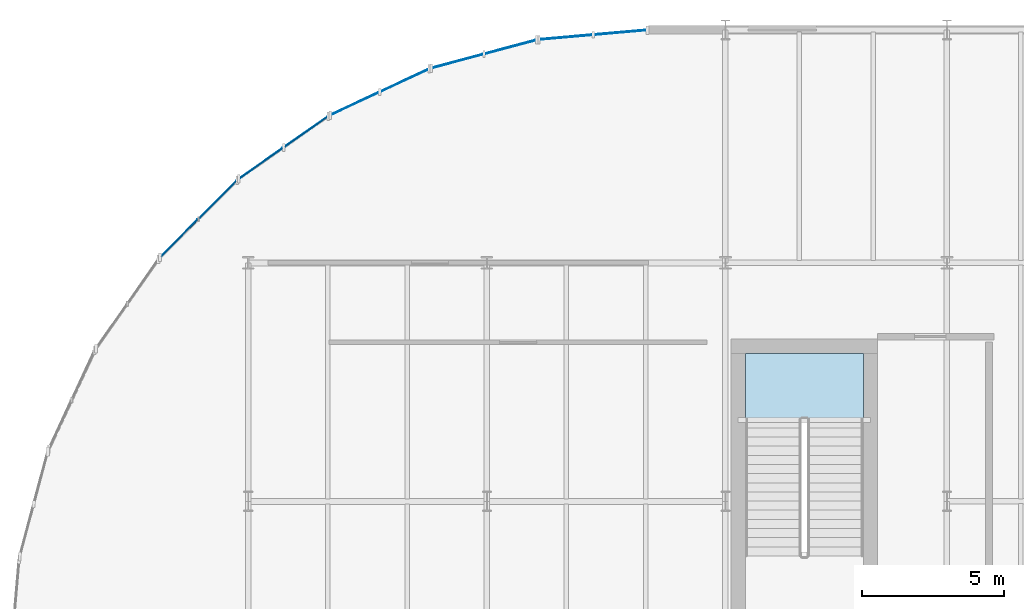
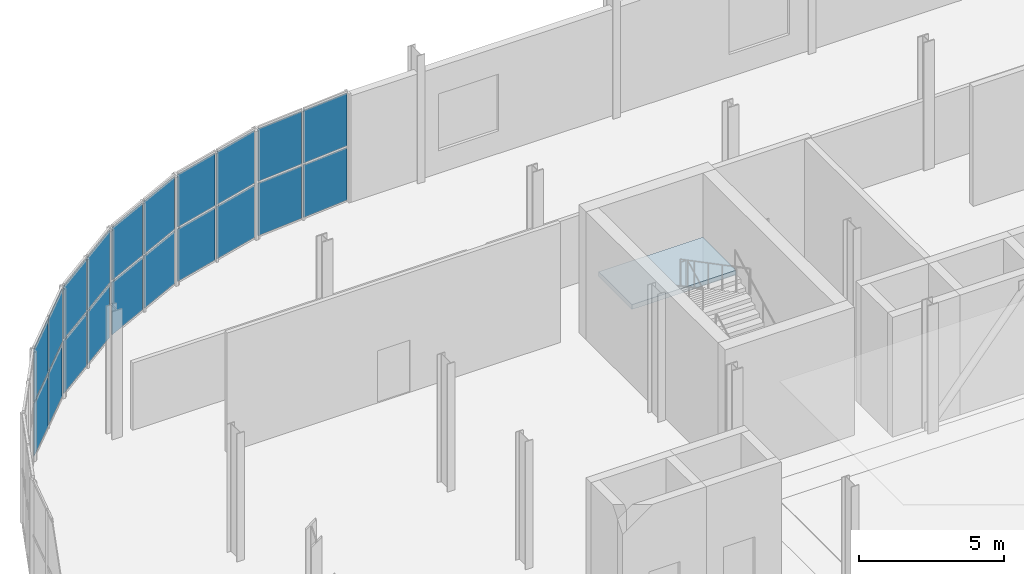
# One storey, part 41 of 78: 20 plates, 1 slab, 6 elements without a shape of their own.
"""IFC4 building model written with IfcOpenShell, lengths in metres."""

from ifc_helpers import new_model, si_unit, direction, frame, origin, origin_2d, place, context, subcontext, project, spatial, polyline, rectangle, outline, extrude, material, layer, layer_set, type_object, element, aggregate, save


model = new_model("IFC4")

# Units and contexts
model_context = context("Model", 3, precision=1e-05, world=origin(), true_north=direction((0.0, 1.0)))
body_context = subcontext(model_context, "Body", "Model", "MODEL_VIEW")
ifc_project = project(units=[si_unit("LENGTHUNIT", "METRE"), si_unit("AREAUNIT", "SQUARE_METRE"), si_unit("VOLUMEUNIT", "CUBIC_METRE"), si_unit("PLANEANGLEUNIT", "RADIAN"), si_unit("MASSUNIT", "GRAM", prefix="KILO")], contexts=[model_context])

# Site, building, storey
site_placement = place(None, origin())
site = spatial("IfcSite", under=ifc_project, at=site_placement, CompositionType="ELEMENT")
building_placement = place(site_placement, origin())
building = spatial("IfcBuilding", under=site, at=building_placement, Name="Sefraquen Railside Congress Hotel", CompositionType="ELEMENT")
storey_placement = place(building_placement, frame((0.0, 0.0, 6.0)))
storey = spatial("IfcBuildingStorey", under=building, at=storey_placement, Name="L01", CompositionType="ELEMENT", Elevation=6.0)

# Curtain wall, plates
ifc_material_1 = material(Name="Thermally broken anodised aluminium and low-E double glazing", Category="aluminium")
ifc_layer_1 = layer(ifc_material_1, 0.199951171875)
ifc_layer_set_1 = layer_set([ifc_layer_1], Name="Thermally broken anodised aluminium and low-E double glazing")
curtain_wall_type_1 = type_object("IfcCurtainWallType", Name="TCW-UCW-10", PredefinedType="USERDEFINED", material=ifc_layer_set_1)
curtain_wall_1_placement = place(storey_placement, origin())
curtain_wall_1 = element("IfcCurtainWall", 1, at=curtain_wall_1_placement, inside=storey, type_object=curtain_wall_type_1, Name="Rotunda L01 curved curtain wall facet 1", ObjectType="UNITISED CURTAIN WALL", PredefinedType="USERDEFINED")
ifc_material_2 = material(Name="Solar-control low-E double glazing", Category="glass")
ifc_layer_2 = layer(ifc_material_2, 0.02392578125)
ifc_layer_set_2 = layer_set([ifc_layer_2], Name="Solar-control low-E double glazing")
plate_type_1 = type_object("IfcPlateType", Name="TP-CWP-01", PredefinedType="CURTAIN_PANEL", material=ifc_layer_set_2)
plate_1_placement = place(storey_placement, frame((21.50341796875, 117.912841796875, 0.0400390625), z_axis=(0.0, 0.0, 1.0), x_axis=(-0.996196219095, -0.087138355857, 0.0)))
plate_1 = element("IfcPlate", 2, at=plate_1_placement, type_object=plate_type_1, Name="CW-L01-ROT-01 panel 1.1", PredefinedType="CURTAIN_PANEL", context=body_context, shape_type="SweptSolid", body=[
    extrude(rectangle(XDim=1.8310546875, YDim=0.02392578125, at=origin_2d()), origin(), (0.0, 0.0, 1.0), 2.219970703125),
])
plate_2_placement = place(storey_placement, frame((19.589599609375, 117.745361328125, 0.0400390625), z_axis=(0.0, 0.0, 1.0), x_axis=(-0.996196219095, -0.087138355857, 0.0)))
plate_2 = element("IfcPlate", 3, at=plate_2_placement, type_object=plate_type_1, Name="CW-L01-ROT-01 panel 1.2", PredefinedType="CURTAIN_PANEL", context=body_context, shape_type="SweptSolid", body=[
    extrude(rectangle(XDim=1.8310546875, YDim=0.02392578125, at=origin_2d()), origin(), (0.0, 0.0, 1.0), 2.219970703125),
])

ifc_layer_3 = layer(ifc_material_1, 0.199951171875)
ifc_layer_set_3 = layer_set([ifc_layer_3], Name="Thermally broken anodised aluminium and low-E double glazing")
curtain_wall_type_2 = type_object("IfcCurtainWallType", Name="TCW-UCW-11", PredefinedType="USERDEFINED", material=ifc_layer_set_3)
curtain_wall_2_placement = place(storey_placement, origin())
curtain_wall_2 = element("IfcCurtainWall", 4, at=curtain_wall_2_placement, inside=storey, type_object=curtain_wall_type_2, Name="Rotunda L01 curved curtain wall facet 2", ObjectType="UNITISED CURTAIN WALL", PredefinedType="USERDEFINED")
plate_3_placement = place(storey_placement, frame((17.62646484375, 117.399169921875, 0.0400390625), z_axis=(0.0, 0.0, 1.0), x_axis=(-0.96593486019, -0.258785327773, 0.0)))
plate_3 = element("IfcPlate", 5, at=plate_3_placement, type_object=plate_type_1, Name="CW-L01-ROT-02 panel 1.1", PredefinedType="CURTAIN_PANEL", context=body_context, shape_type="SweptSolid", body=[
    extrude(rectangle(XDim=1.8310546875, YDim=0.02392578125, at=origin_2d()), origin(), (0.0, 0.0, 1.0), 2.219970703125),
])
plate_4_placement = place(storey_placement, frame((15.77099609375, 116.902099609375, 0.0400390625), z_axis=(0.0, 0.0, 1.0), x_axis=(-0.96593486019, -0.258785327773, 0.0)))
plate_4 = element("IfcPlate", 6, at=plate_4_placement, type_object=plate_type_1, Name="CW-L01-ROT-02 panel 1.2", PredefinedType="CURTAIN_PANEL", context=body_context, shape_type="SweptSolid", body=[
    extrude(rectangle(XDim=1.8310546875, YDim=0.02392578125, at=origin_2d()), origin(), (0.0, 0.0, 1.0), 2.219970703125),
])

ifc_layer_4 = layer(ifc_material_1, 0.199951171875)
ifc_layer_set_4 = layer_set([ifc_layer_4], Name="Thermally broken anodised aluminium and low-E double glazing")
curtain_wall_type_3 = type_object("IfcCurtainWallType", Name="TCW-UCW-12", PredefinedType="USERDEFINED", material=ifc_layer_set_4)
curtain_wall_3_placement = place(storey_placement, origin())
curtain_wall_3 = element("IfcCurtainWall", 7, at=curtain_wall_3_placement, inside=storey, type_object=curtain_wall_type_3, Name="Rotunda L01 curved curtain wall facet 3", ObjectType="UNITISED CURTAIN WALL", PredefinedType="USERDEFINED")
plate_5_placement = place(storey_placement, frame((13.897705078125, 116.22021484375, 0.0400390625), z_axis=(0.0, 0.0, 1.0), x_axis=(-0.906300410818, -0.422634079731, 0.0)))
plate_5 = element("IfcPlate", 8, at=plate_5_placement, type_object=plate_type_1, Name="CW-L01-ROT-03 panel 1.1", PredefinedType="CURTAIN_PANEL", context=body_context, shape_type="SweptSolid", body=[
    extrude(rectangle(XDim=1.830810546875, YDim=0.02392578125, at=origin_2d()), origin(), (0.0, 0.0, 1.0), 2.219970703125),
])
plate_6_placement = place(storey_placement, frame((12.15673828125, 115.408447265625, 0.0400390625), z_axis=(0.0, 0.0, 1.0), x_axis=(-0.906300410818, -0.422634079731, 0.0)))
plate_6 = element("IfcPlate", 9, at=plate_6_placement, type_object=plate_type_1, Name="CW-L01-ROT-03 panel 1.2", PredefinedType="CURTAIN_PANEL", context=body_context, shape_type="SweptSolid", body=[
    extrude(rectangle(XDim=1.830810546875, YDim=0.02392578125, at=origin_2d()), origin(), (0.0, 0.0, 1.0), 2.219970703125),
])

ifc_layer_5 = layer(ifc_material_1, 0.199951171875)
ifc_layer_set_5 = layer_set([ifc_layer_5], Name="Thermally broken anodised aluminium and low-E double glazing")
curtain_wall_type_4 = type_object("IfcCurtainWallType", Name="TCW-UCW-13", PredefinedType="USERDEFINED", material=ifc_layer_set_5)
curtain_wall_4_placement = place(storey_placement, origin())
curtain_wall_4 = element("IfcCurtainWall", 10, at=curtain_wall_4_placement, inside=storey, type_object=curtain_wall_type_4, Name="Rotunda L01 curved curtain wall facet 4", ObjectType="UNITISED CURTAIN WALL", PredefinedType="USERDEFINED")
plate_7_placement = place(storey_placement, frame((10.430419921875, 114.411865234375, 0.0400390625), z_axis=(0.0, 0.0, 1.0), x_axis=(-0.819132022195, -0.573605029802, 0.0)))
plate_7 = element("IfcPlate", 11, at=plate_7_placement, type_object=plate_type_1, Name="CW-L01-ROT-04 panel 1.1", PredefinedType="CURTAIN_PANEL", context=body_context, shape_type="SweptSolid", body=[
    extrude(rectangle(XDim=1.8310546875, YDim=0.02392578125, at=origin_2d()), origin(), (0.0, 0.0, 1.0), 2.219970703125),
])
plate_8_placement = place(storey_placement, frame((8.856689453125, 113.309814453125, 0.0400390625), z_axis=(0.0, 0.0, 1.0), x_axis=(-0.819132022195, -0.573605029802, 0.0)))
plate_8 = element("IfcPlate", 12, at=plate_8_placement, type_object=plate_type_1, Name="CW-L01-ROT-04 panel 1.2", PredefinedType="CURTAIN_PANEL", context=body_context, shape_type="SweptSolid", body=[
    extrude(rectangle(XDim=1.8310546875, YDim=0.02392578125, at=origin_2d()), origin(), (0.0, 0.0, 1.0), 2.219970703125),
])

ifc_layer_6 = layer(ifc_material_1, 0.199951171875)
ifc_layer_set_6 = layer_set([ifc_layer_6], Name="Thermally broken anodised aluminium and low-E double glazing")
curtain_wall_type_5 = type_object("IfcCurtainWallType", Name="TCW-UCW-14", PredefinedType="USERDEFINED", material=ifc_layer_set_6)
curtain_wall_5_placement = place(storey_placement, origin())
curtain_wall_5 = element("IfcCurtainWall", 13, at=curtain_wall_5_placement, inside=storey, type_object=curtain_wall_type_5, Name="Rotunda L01 curved curtain wall facet 5", ObjectType="UNITISED CURTAIN WALL", PredefinedType="USERDEFINED")
plate_9_placement = place(storey_placement, frame((7.329833984375, 112.028564453125, 0.0400390625), z_axis=(0.0, 0.0, 1.0), x_axis=(-0.707106781187, -0.707106781187, 0.0)))
plate_9 = element("IfcPlate", 14, at=plate_9_placement, type_object=plate_type_1, Name="CW-L01-ROT-05 panel 1.1", PredefinedType="CURTAIN_PANEL", context=body_context, shape_type="SweptSolid", body=[
    extrude(rectangle(XDim=1.8310546875, YDim=0.02392578125, at=origin_2d()), origin(), (0.0, 0.0, 1.0), 2.219970703125),
])
plate_10_placement = place(storey_placement, frame((5.971435546875, 110.670166015625, 0.0400390625), z_axis=(0.0, 0.0, 1.0), x_axis=(-0.707106781187, -0.707106781187, 0.0)))
plate_10 = element("IfcPlate", 15, at=plate_10_placement, type_object=plate_type_1, Name="CW-L01-ROT-05 panel 1.2", PredefinedType="CURTAIN_PANEL", context=body_context, shape_type="SweptSolid", body=[
    extrude(rectangle(XDim=1.8310546875, YDim=0.02392578125, at=origin_2d()), origin(), (0.0, 0.0, 1.0), 2.219970703125),
])

# Plate
ifc_material_3 = material(Name="Triple acoustic solar-control glazing", Category="glass")
ifc_layer_7 = layer(ifc_material_3, 0.031982421875)
ifc_layer_set_7 = layer_set([ifc_layer_7], Name="Triple acoustic solar-control glazing")
plate_type_2 = type_object("IfcPlateType", Name="TP-CWP-02", PredefinedType="CURTAIN_PANEL", material=ifc_layer_set_7)
plate_11_placement = place(storey_placement, frame((21.50341796875, 117.912841796875, 2.33984375), z_axis=(0.0, 0.0, 1.0), x_axis=(-0.996196219095, -0.087138355857, 0.0)))
plate_11 = element("IfcPlate", 16, at=plate_11_placement, type_object=plate_type_2, Name="CW-L01-ROT-01 panel 2.1", PredefinedType="CURTAIN_PANEL", context=body_context, shape_type="SweptSolid", body=[
    extrude(rectangle(XDim=1.8310546875, YDim=0.031982421875, at=origin_2d()), origin(), (0.0, 0.0, 1.0), 2.219970703125),
])

plate_12_placement = place(storey_placement, frame((19.589599609375, 117.745361328125, 2.33984375), z_axis=(0.0, 0.0, 1.0), x_axis=(-0.996196219095, -0.087138355857, 0.0)))
plate_12 = element("IfcPlate", 17, at=plate_12_placement, type_object=plate_type_2, Name="CW-L01-ROT-01 panel 2.2", PredefinedType="CURTAIN_PANEL", context=body_context, shape_type="SweptSolid", body=[
    extrude(rectangle(XDim=1.8310546875, YDim=0.031982421875, at=origin_2d()), origin(), (0.0, 0.0, 1.0), 2.219970703125),
])

aggregate(curtain_wall_1, [plate_1, plate_2, plate_11, plate_12])

plate_13_placement = place(storey_placement, frame((17.62646484375, 117.399169921875, 2.33984375), z_axis=(0.0, 0.0, 1.0), x_axis=(-0.96593486019, -0.258785327773, 0.0)))
plate_13 = element("IfcPlate", 18, at=plate_13_placement, type_object=plate_type_2, Name="CW-L01-ROT-02 panel 2.1", PredefinedType="CURTAIN_PANEL", context=body_context, shape_type="SweptSolid", body=[
    extrude(rectangle(XDim=1.8310546875, YDim=0.031982421875, at=origin_2d()), origin(), (0.0, 0.0, 1.0), 2.219970703125),
])

plate_14_placement = place(storey_placement, frame((15.77099609375, 116.902099609375, 2.33984375), z_axis=(0.0, 0.0, 1.0), x_axis=(-0.96593486019, -0.258785327773, 0.0)))
plate_14 = element("IfcPlate", 19, at=plate_14_placement, type_object=plate_type_2, Name="CW-L01-ROT-02 panel 2.2", PredefinedType="CURTAIN_PANEL", context=body_context, shape_type="SweptSolid", body=[
    extrude(rectangle(XDim=1.8310546875, YDim=0.031982421875, at=origin_2d()), origin(), (0.0, 0.0, 1.0), 2.219970703125),
])

aggregate(curtain_wall_2, [plate_3, plate_4, plate_13, plate_14])

plate_15_placement = place(storey_placement, frame((13.897705078125, 116.22021484375, 2.33984375), z_axis=(0.0, 0.0, 1.0), x_axis=(-0.906300410818, -0.422634079731, 0.0)))
plate_15 = element("IfcPlate", 20, at=plate_15_placement, type_object=plate_type_2, Name="CW-L01-ROT-03 panel 2.1", PredefinedType="CURTAIN_PANEL", context=body_context, shape_type="SweptSolid", body=[
    extrude(rectangle(XDim=1.830810546875, YDim=0.031982421875, at=origin_2d()), origin(), (0.0, 0.0, 1.0), 2.219970703125),
])

plate_16_placement = place(storey_placement, frame((12.15673828125, 115.408447265625, 2.33984375), z_axis=(0.0, 0.0, 1.0), x_axis=(-0.906300410818, -0.422634079731, 0.0)))
plate_16 = element("IfcPlate", 21, at=plate_16_placement, type_object=plate_type_2, Name="CW-L01-ROT-03 panel 2.2", PredefinedType="CURTAIN_PANEL", context=body_context, shape_type="SweptSolid", body=[
    extrude(rectangle(XDim=1.830810546875, YDim=0.031982421875, at=origin_2d()), origin(), (0.0, 0.0, 1.0), 2.219970703125),
])

aggregate(curtain_wall_3, [plate_5, plate_6, plate_15, plate_16])

plate_17_placement = place(storey_placement, frame((10.430419921875, 114.411865234375, 2.33984375), z_axis=(0.0, 0.0, 1.0), x_axis=(-0.819132022195, -0.573605029802, 0.0)))
plate_17 = element("IfcPlate", 22, at=plate_17_placement, type_object=plate_type_2, Name="CW-L01-ROT-04 panel 2.1", PredefinedType="CURTAIN_PANEL", context=body_context, shape_type="SweptSolid", body=[
    extrude(rectangle(XDim=1.8310546875, YDim=0.031982421875, at=origin_2d()), origin(), (0.0, 0.0, 1.0), 2.219970703125),
])

plate_18_placement = place(storey_placement, frame((8.856689453125, 113.309814453125, 2.33984375), z_axis=(0.0, 0.0, 1.0), x_axis=(-0.819132022195, -0.573605029802, 0.0)))
plate_18 = element("IfcPlate", 23, at=plate_18_placement, type_object=plate_type_2, Name="CW-L01-ROT-04 panel 2.2", PredefinedType="CURTAIN_PANEL", context=body_context, shape_type="SweptSolid", body=[
    extrude(rectangle(XDim=1.8310546875, YDim=0.031982421875, at=origin_2d()), origin(), (0.0, 0.0, 1.0), 2.219970703125),
])

aggregate(curtain_wall_4, [plate_7, plate_8, plate_17, plate_18])

plate_19_placement = place(storey_placement, frame((7.329833984375, 112.028564453125, 2.33984375), z_axis=(0.0, 0.0, 1.0), x_axis=(-0.707106781187, -0.707106781187, 0.0)))
plate_19 = element("IfcPlate", 24, at=plate_19_placement, type_object=plate_type_2, Name="CW-L01-ROT-05 panel 2.1", PredefinedType="CURTAIN_PANEL", context=body_context, shape_type="SweptSolid", body=[
    extrude(rectangle(XDim=1.8310546875, YDim=0.031982421875, at=origin_2d()), origin(), (0.0, 0.0, 1.0), 2.219970703125),
])

plate_20_placement = place(storey_placement, frame((5.971435546875, 110.670166015625, 2.33984375), z_axis=(0.0, 0.0, 1.0), x_axis=(-0.707106781187, -0.707106781187, 0.0)))
plate_20 = element("IfcPlate", 25, at=plate_20_placement, type_object=plate_type_2, Name="CW-L01-ROT-05 panel 2.2", PredefinedType="CURTAIN_PANEL", context=body_context, shape_type="SweptSolid", body=[
    extrude(rectangle(XDim=1.8310546875, YDim=0.031982421875, at=origin_2d()), origin(), (0.0, 0.0, 1.0), 2.219970703125),
])

aggregate(curtain_wall_5, [plate_9, plate_10, plate_19, plate_20])

# Stair, slab
ifc_material_4 = material(Name="Concrete C40/50", Category="concrete")
stair_type = type_object("IfcStairType", Name="TST-DOG-198-420", PredefinedType="HALF_TURN_STAIR", material=ifc_material_4)
stair_placement = place(storey_placement, origin())
stair = element("IfcStair", 26, at=stair_placement, inside=storey, type_object=stair_type, Name="L01 Pressurized escape stair ST-H02", PredefinedType="HALF_TURN_STAIR")
ifc_layer_8 = layer(ifc_material_4, 0.199951171875)
ifc_layer_set_8 = layer_set([ifc_layer_8], Name="Concrete C40/50")
slab_type = type_object("IfcSlabType", Name="TS-LD-200", PredefinedType="LANDING", material=ifc_layer_set_8)
slab_placement = place(storey_placement, frame((0.0, 0.0, 2.5)))
slab = element("IfcSlab", 27, at=slab_placement, type_object=slab_type, Name="ST-H02 landing 1", PredefinedType="LANDING", context=body_context, shape_type="SweptSolid", body=[
    extrude(outline(polyline([(30.06005859375, 104.31005859375), (30.06005859375, 106.612060546875), (25.89990234375, 106.612060546875), (25.89990234375, 104.31005859375), (30.06005859375, 104.31005859375)])), origin(), (0.0, 0.0, 1.0), 0.199951171875),
])
aggregate(stair, [slab])

save(model, "model.ifc")
